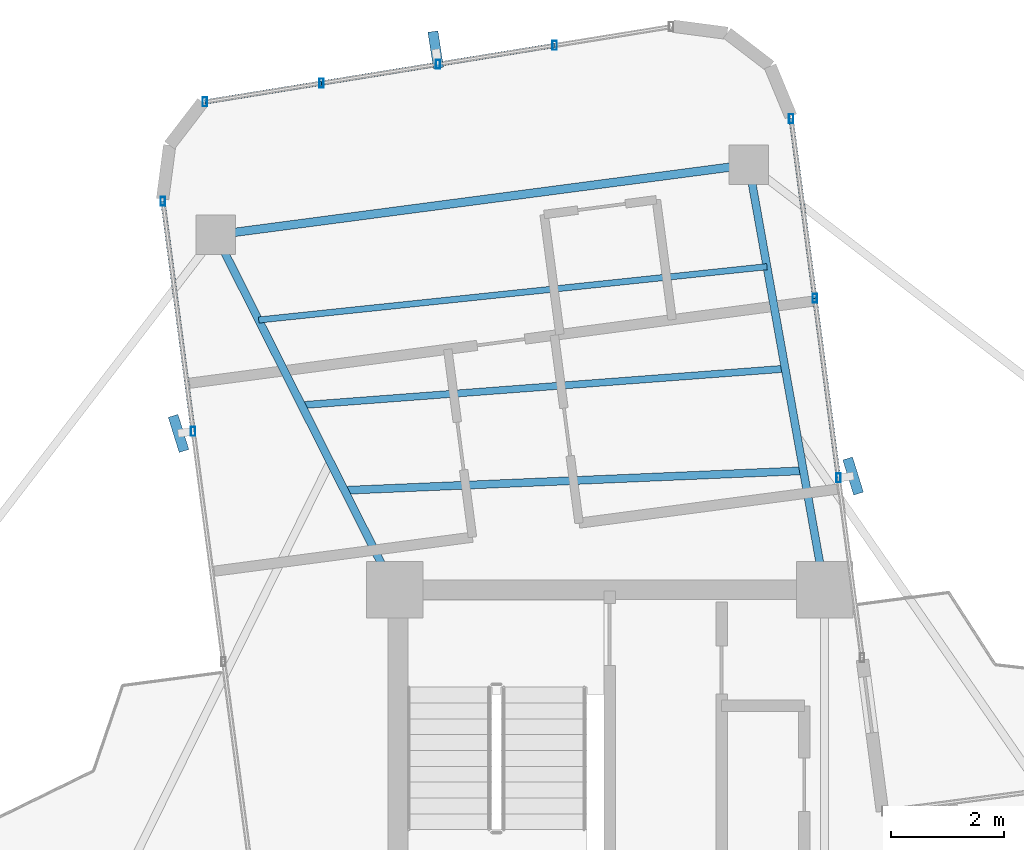
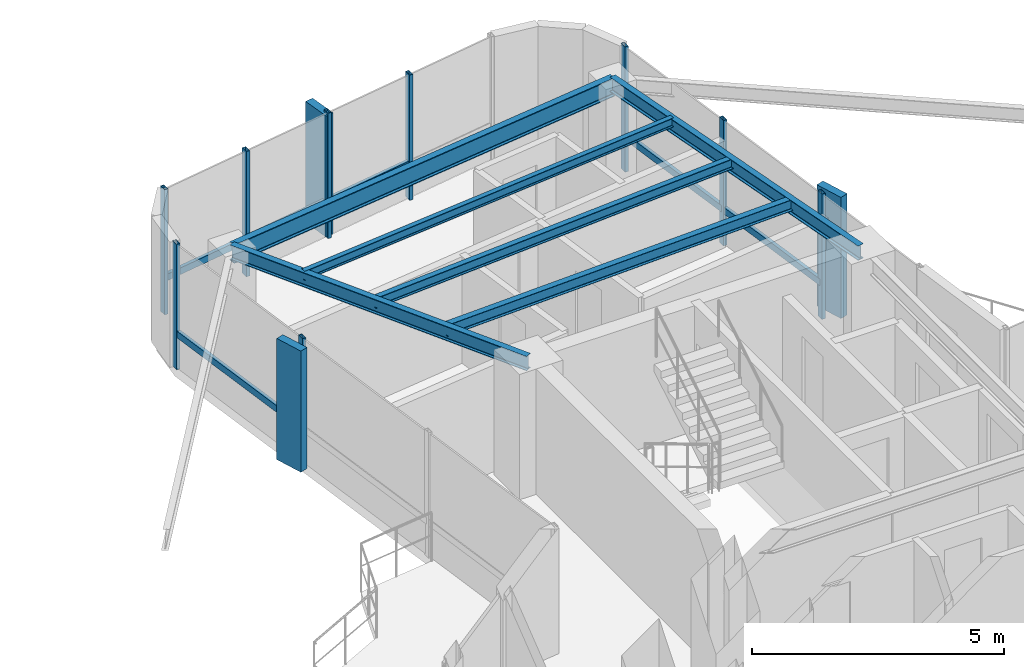
# One storey, part 14 of 22: 18 members, 6 beams, 3 elements without a shape of their own.
"""IFC4 building model written with IfcOpenShell, lengths in metres."""

from ifc_helpers import new_model, si_unit, direction, frame, origin, origin_2d, place, context, subcontext, project, spatial, rectangle, hollow_rectangle, i_section, extrude, source, transform, mapped, material, material_profile, profile_set, type_object, element, aggregate, save


model = new_model("IFC4")

# Units and contexts
model_context = context("Model", 3, precision=1e-05, world=origin(), true_north=direction((0.0, 1.0)))
body_context = subcontext(model_context, "Body", "Model", "MODEL_VIEW")
ifc_project = project(units=[si_unit("LENGTHUNIT", "METRE"), si_unit("AREAUNIT", "SQUARE_METRE"), si_unit("VOLUMEUNIT", "CUBIC_METRE"), si_unit("PLANEANGLEUNIT", "RADIAN"), si_unit("MASSUNIT", "GRAM", prefix="KILO")], contexts=[model_context])

# Site, building, storey
site_placement = place(None, origin())
site = spatial("IfcSite", under=ifc_project, at=site_placement, CompositionType="ELEMENT")
building_placement = place(site_placement, origin())
building = spatial("IfcBuilding", under=site, at=building_placement, Name="Sahyath Konkavel Grand Hotel", CompositionType="ELEMENT")
storey_placement = place(building_placement, frame((0.0, 0.0, 261.25)))
storey = spatial("IfcBuildingStorey", under=building, at=storey_placement, Name="L73", CompositionType="ELEMENT", Elevation=261.25)

# Beams
ifc_material_1 = material(Name="Steel E350", Category="steel")
ifc_material_profile_1 = material_profile(ifc_material_1, i_section(OverallWidth=0.139892578125, OverallDepth=0.35009765625, WebThickness=0.008056640625, FlangeThickness=0.01416015625, FilletRadius=0.013916015625, at=origin_2d()), Name="ISMB 350")
ifc_profile_set_1 = profile_set([ifc_material_profile_1], Name="Steel E350")
beam_type_1 = type_object("IfcBeamType", Name="BM-ISMB350", PredefinedType="BEAM", material=ifc_profile_set_1)
shared_shape_1 = source(origin(), body_context, "Body", "SweptSolid", [
    extrude(i_section(OverallWidth=0.139892578125, OverallDepth=0.35009765625, WebThickness=0.008056640625, FlangeThickness=0.01416015625, FilletRadius=0.013916015625, at=origin_2d()), origin(), (0.0, 0.0, 1.0), 7.631103515625),
])
beam_1_placement = place(storey_placement, frame((3.800048828125, 10.199951171875, 2.85498046875), z_axis=(-0.175734167088, 0.984437658015, 0.0), x_axis=(-0.984437658015, -0.175734167088, 0.0)))
element("IfcBeam", 1, at=beam_1_placement, inside=storey, type_object=beam_type_1, Name="L73 Cruciform Radial Girder NA", PredefinedType="BEAM", context=body_context, shape_type="MappedRepresentation", body=[
    mapped(shared_shape_1, transform((0.0, 0.0, 0.0), scale=1.0)),
])
shared_shape_2 = source(origin(), body_context, "Body", "SweptSolid", [
    extrude(i_section(OverallWidth=0.139892578125, OverallDepth=0.35009765625, WebThickness=0.008056640625, FlangeThickness=0.01416015625, FilletRadius=0.013916015625, at=origin_2d()), origin(), (0.0, 0.0, 1.0), 7.0234375),
])
beam_2_placement = place(storey_placement, frame((-3.800048828125, 10.199951171875, 2.85498046875), z_axis=(-0.449881274382, 0.893088371305, 0.0), x_axis=(-0.893088371305, -0.449881274382, 0.0)))
element("IfcBeam", 2, at=beam_2_placement, inside=storey, type_object=beam_type_1, Name="L73 Cruciform Radial Girder NB", PredefinedType="BEAM", context=body_context, shape_type="MappedRepresentation", body=[
    mapped(shared_shape_2, transform((0.0, 0.0, 0.0), scale=1.0)),
])
ifc_material_profile_2 = material_profile(ifc_material_1, i_section(OverallWidth=0.14990234375, OverallDepth=0.449951171875, WebThickness=0.009521484375, FlangeThickness=0.017333984375, FilletRadius=0.014892578125, at=origin_2d()), Name="ISMB 450")
ifc_profile_set_2 = profile_set([ifc_material_profile_2], Name="Steel E350")
beam_type_2 = type_object("IfcBeamType", Name="BM-ISMB450", PredefinedType="BEAM", material=ifc_profile_set_2)
shared_shape_3 = source(origin(), body_context, "Body", "SweptSolid", [
    extrude(i_section(OverallWidth=0.14990234375, OverallDepth=0.449951171875, WebThickness=0.009521484375, FlangeThickness=0.017333984375, FilletRadius=0.014892578125, at=origin_2d()), origin(), (0.0, 0.0, 1.0), 9.5),
])
beam_3_placement = place(storey_placement, frame((2.458984375, 17.71240234375, 2.804931640625), z_axis=(-0.991444933556, -0.130525643939, 0.0), x_axis=(0.130525643939, -0.991444933556, 0.0)))
element("IfcBeam", 3, at=beam_3_placement, inside=storey, type_object=beam_type_2, Name="L73 Wing Tip Edge Beam N", PredefinedType="BEAM", context=body_context, shape_type="MappedRepresentation", body=[
    mapped(shared_shape_3, transform((0.0, 0.0, 0.0), scale=1.0)),
])
ifc_material_profile_3 = material_profile(ifc_material_1, i_section(OverallWidth=0.139892578125, OverallDepth=0.27490234375, WebThickness=0.00634765625, FlangeThickness=0.0087890625, FilletRadius=0.012939453125, at=origin_2d()), Name="ISLB 275")
ifc_profile_set_3 = profile_set([ifc_material_profile_3], Name="Steel E350")
beam_type_3 = type_object("IfcBeamType", Name="BM-ISLB275", PredefinedType="BEAM", material=ifc_profile_set_3)
shared_shape_4 = source(origin(), body_context, "Body", "SweptSolid", [
    extrude(i_section(OverallWidth=0.139892578125, OverallDepth=0.27490234375, WebThickness=0.00634765625, FlangeThickness=0.0087890625, FilletRadius=0.012939453125, at=origin_2d()), origin(), (0.0, 0.0, 1.0), 8.11669921875),
])
beam_4_placement = place(storey_placement, frame((3.424560546875, 12.303466796875, 2.892578125), z_axis=(-0.999084879956, -0.042771516718, 0.0), x_axis=(0.042771516718, -0.999084879956, 0.0)))
element("IfcBeam", 4, at=beam_4_placement, inside=storey, type_object=beam_type_3, Name="L73 Secondary Floor Beam N-1", PredefinedType="BEAM", context=body_context, shape_type="MappedRepresentation", body=[
    mapped(shared_shape_4, transform((0.0, 0.0, 0.0), scale=1.0)),
])
ifc_material_profile_4 = material_profile(ifc_material_1, i_section(OverallWidth=0.125, OverallDepth=0.25, WebThickness=0.0068359375, FlangeThickness=0.012451171875, FilletRadius=0.012939453125, at=origin_2d()), Name="ISMB 250")
ifc_profile_set_4 = profile_set([ifc_material_profile_4], Name="Steel E350")
beam_type_4 = type_object("IfcBeamType", Name="BM-ISMB250", PredefinedType="BEAM", material=ifc_profile_set_4)
shared_shape_5 = source(origin(), body_context, "Body", "SweptSolid", [
    extrude(i_section(OverallWidth=0.125, OverallDepth=0.25, WebThickness=0.0068359375, FlangeThickness=0.012451171875, FilletRadius=0.012939453125, at=origin_2d()), origin(), (0.0, 0.0, 1.0), 8.570068359375),
])
beam_5_placement = place(storey_placement, frame((3.102783203125, 14.1064453125, 2.905029296875), z_axis=(-0.997165854664, -0.075234688098, 0.0), x_axis=(0.075234688098, -0.997165854664, 0.0)))
element("IfcBeam", 5, at=beam_5_placement, inside=storey, type_object=beam_type_4, Name="L73 Secondary Floor Beam N-2", PredefinedType="BEAM", context=body_context, shape_type="MappedRepresentation", body=[
    mapped(shared_shape_5, transform((0.0, 0.0, 0.0), scale=1.0)),
])
ifc_material_profile_5 = material_profile(ifc_material_1, i_section(OverallWidth=0.110107421875, OverallDepth=0.22509765625, WebThickness=0.006591796875, FlangeThickness=0.01171875, FilletRadius=0.011962890625, at=origin_2d()), Name="ISMB 225")
ifc_profile_set_5 = profile_set([ifc_material_profile_5], Name="Steel E350")
beam_type_5 = type_object("IfcBeamType", Name="BM-ISMB225", PredefinedType="BEAM", material=ifc_profile_set_5)
shared_shape_6 = source(origin(), body_context, "Body", "SweptSolid", [
    extrude(i_section(OverallWidth=0.110107421875, OverallDepth=0.22509765625, WebThickness=0.006591796875, FlangeThickness=0.01171875, FilletRadius=0.011962890625, at=origin_2d()), origin(), (0.0, 0.0, 1.0), 9.03173828125),
])
beam_6_placement = place(storey_placement, frame((2.781005859375, 15.909423828125, 2.91748046875), z_axis=(-0.99454153435, -0.104341441688, 0.0), x_axis=(0.104341441688, -0.99454153435, 0.0)))
element("IfcBeam", 6, at=beam_6_placement, inside=storey, type_object=beam_type_5, Name="L73 Secondary Floor Beam N-3", PredefinedType="BEAM", context=body_context, shape_type="MappedRepresentation", body=[
    mapped(shared_shape_6, transform((0.0, 0.0, 0.0), scale=1.0)),
])

# Curtain wall, members
ifc_material_2 = material(Name="Anodised Bronze Aluminium & Low-E Glazing", Category="aluminium")
curtain_wall_type = type_object("IfcCurtainWallType", Name="CW-ZONE4", PredefinedType="NOTDEFINED", material=ifc_material_2)
curtain_wall_1_placement = place(storey_placement, origin())
curtain_wall_1 = element("IfcCurtainWall", 7, at=curtain_wall_1_placement, inside=storey, type_object=curtain_wall_type, Name="L73 Unitised Curtain Wall F8", PredefinedType="NOTDEFINED")
ifc_material_3 = material(Name="Anodised Bronze Aluminium", Category="aluminium")
ifc_material_profile_6 = material_profile(ifc_material_3, hollow_rectangle(XDim=0.080078125, YDim=0.159912109375, WallThickness=0.006103515625, at=origin_2d()), Name="RHS 160x80x6")
ifc_profile_set_6 = profile_set([ifc_material_profile_6], Name="Anodised Bronze Aluminium")
member_type_1 = type_object("IfcMemberType", Name="CW-MUL-160", PredefinedType="MULLION", material=ifc_profile_set_6)
shared_shape_7 = source(origin(), body_context, "Body", "SweptSolid", [
    extrude(hollow_rectangle(XDim=0.080078125, YDim=0.159912109375, WallThickness=0.006103515625, at=origin_2d()), origin(), (0.0, 0.0, 1.0), 3.030029296875),
])
member_1_placement = place(storey_placement, frame((4.04541015625, 12.175537109375, 0.0), z_axis=(0.0, 0.0, 1.0), x_axis=(1.0, 0.0, 0.0)))
member_1 = element("IfcMember", 8, at=member_1_placement, type_object=member_type_1, Name="L73 Curtain Wall Mullion F8-1", PredefinedType="MULLION", context=body_context, shape_type="MappedRepresentation", body=[
    mapped(shared_shape_7, transform((0.0, 0.0, 0.0), scale=1.0)),
])
member_2_placement = place(storey_placement, frame((3.627197265625, 15.351318359375, 0.0), z_axis=(0.0, 0.0, 1.0), x_axis=(1.0, 0.0, 0.0)))
member_2 = element("IfcMember", 9, at=member_2_placement, type_object=member_type_1, Name="L73 Curtain Wall Mullion F8-2", PredefinedType="MULLION", context=body_context, shape_type="MappedRepresentation", body=[
    mapped(shared_shape_7, transform((0.0, 0.0, 0.0), scale=1.0)),
])
member_3_placement = place(storey_placement, frame((3.208984375, 18.52734375, 0.0), z_axis=(0.0, 0.0, 1.0), x_axis=(1.0, 0.0, 0.0)))
member_3 = element("IfcMember", 10, at=member_3_placement, type_object=member_type_1, Name="L73 Curtain Wall Mullion F8-3", PredefinedType="MULLION", context=body_context, shape_type="MappedRepresentation", body=[
    mapped(shared_shape_7, transform((0.0, 0.0, 0.0), scale=1.0)),
])

curtain_wall_2_placement = place(storey_placement, origin())
curtain_wall_2 = element("IfcCurtainWall", 11, at=curtain_wall_2_placement, inside=storey, type_object=curtain_wall_type, Name="L73 Unitised Curtain Wall F12", PredefinedType="NOTDEFINED")
member_4_placement = place(storey_placement, frame((-0.9716796875, 19.8203125, 0.0), z_axis=(0.0, 0.0, 1.0), x_axis=(1.0, 0.0, 0.0)))
member_4 = element("IfcMember", 12, at=member_4_placement, type_object=member_type_1, Name="L73 Curtain Wall Mullion F12-1", PredefinedType="MULLION", context=body_context, shape_type="MappedRepresentation", body=[
    mapped(shared_shape_7, transform((0.0, 0.0, 0.0), scale=1.0)),
])
member_5_placement = place(storey_placement, frame((-3.031982421875, 19.487060546875, 0.0), z_axis=(0.0, 0.0, 1.0), x_axis=(1.0, 0.0, 0.0)))
member_5 = element("IfcMember", 13, at=member_5_placement, type_object=member_type_1, Name="L73 Curtain Wall Mullion F12-2", PredefinedType="MULLION", context=body_context, shape_type="MappedRepresentation", body=[
    mapped(shared_shape_7, transform((0.0, 0.0, 0.0), scale=1.0)),
])
member_6_placement = place(storey_placement, frame((-5.09228515625, 19.15380859375, 0.0), z_axis=(0.0, 0.0, 1.0), x_axis=(1.0, 0.0, 0.0)))
member_6 = element("IfcMember", 14, at=member_6_placement, type_object=member_type_1, Name="L73 Curtain Wall Mullion F12-3", PredefinedType="MULLION", context=body_context, shape_type="MappedRepresentation", body=[
    mapped(shared_shape_7, transform((0.0, 0.0, 0.0), scale=1.0)),
])
member_7_placement = place(storey_placement, frame((-7.15283203125, 18.82080078125, 0.0), z_axis=(0.0, 0.0, 1.0), x_axis=(1.0, 0.0, 0.0)))
member_7 = element("IfcMember", 15, at=member_7_placement, type_object=member_type_1, Name="L73 Curtain Wall Mullion F12-4", PredefinedType="MULLION", context=body_context, shape_type="MappedRepresentation", body=[
    mapped(shared_shape_7, transform((0.0, 0.0, 0.0), scale=1.0)),
])

curtain_wall_3_placement = place(storey_placement, origin())
curtain_wall_3 = element("IfcCurtainWall", 16, at=curtain_wall_3_placement, inside=storey, type_object=curtain_wall_type, Name="L73 Unitised Curtain Wall F15", PredefinedType="NOTDEFINED")
member_8_placement = place(storey_placement, frame((-7.89501953125, 17.0654296875, 0.0), z_axis=(0.0, 0.0, 1.0), x_axis=(1.0, 0.0, 0.0)))
member_8 = element("IfcMember", 17, at=member_8_placement, type_object=member_type_1, Name="L73 Curtain Wall Mullion F15-0", PredefinedType="MULLION", context=body_context, shape_type="MappedRepresentation", body=[
    mapped(shared_shape_7, transform((0.0, 0.0, 0.0), scale=1.0)),
])
member_9_placement = place(storey_placement, frame((-7.359619140625, 12.997314453125, 0.0), z_axis=(0.0, 0.0, 1.0), x_axis=(1.0, 0.0, 0.0)))
member_9 = element("IfcMember", 18, at=member_9_placement, type_object=member_type_1, Name="L73 Curtain Wall Mullion F15-1", PredefinedType="MULLION", context=body_context, shape_type="MappedRepresentation", body=[
    mapped(shared_shape_7, transform((0.0, 0.0, 0.0), scale=1.0)),
])

# Member
ifc_material_4 = material(Name="Warm Buff Sandstone Cladding on Concrete C50/60", Category="masonry")
ifc_material_profile_7 = material_profile(ifc_material_4, rectangle(XDim=0.179931640625, YDim=0.64990234375, at=origin_2d()), Name="FIN 180x650")
ifc_profile_set_7 = profile_set([ifc_material_profile_7], Name="Warm Buff Sandstone Cladding on Concrete C50/60")
member_type_2 = type_object("IfcMemberType", Name="FIN-SANDSTONE-650", PredefinedType="MULLION", material=ifc_profile_set_7)
shared_shape_8 = source(origin(), body_context, "Body", "SweptSolid", [
    extrude(rectangle(XDim=0.179931640625, YDim=0.64990234375, at=origin_2d()), origin(), (0.0, 0.0, 1.0), 2.929931640625),
])
member_10_placement = place(storey_placement, frame((4.30322265625, 12.20947265625, 0.050048828125), z_axis=(0.0, 0.0, 1.0), x_axis=(0.954812686667, 0.297208232354, 0.0)))
member_10 = element("IfcMember", 19, at=member_10_placement, type_object=member_type_2, Name="L73 Sandstone Vertical Solar Fin FIN F8-1", PredefinedType="MULLION", context=body_context, shape_type="MappedRepresentation", body=[
    mapped(shared_shape_8, transform((0.0, 0.0, 0.0), scale=1.0)),
])

member_11_placement = place(storey_placement, frame((-3.073486328125, 19.74365234375, 0.050048828125), z_axis=(0.0, 0.0, 1.0), x_axis=(0.988572951285, 0.150743225348, 0.0)))
member_11 = element("IfcMember", 20, at=member_11_placement, type_object=member_type_2, Name="L73 Sandstone Vertical Solar Fin FIN F12-2", PredefinedType="MULLION", context=body_context, shape_type="MappedRepresentation", body=[
    mapped(shared_shape_8, transform((0.0, 0.0, 0.0), scale=1.0)),
])

member_12_placement = place(storey_placement, frame((-7.6171875, 12.96337890625, 0.050048828125), z_axis=(0.0, 0.0, 1.0), x_axis=(0.954812686667, 0.297208232354, 0.0)))
member_12 = element("IfcMember", 21, at=member_12_placement, type_object=member_type_2, Name="L73 Sandstone Vertical Solar Fin FIN F15-1", PredefinedType="MULLION", context=body_context, shape_type="MappedRepresentation", body=[
    mapped(shared_shape_8, transform((0.0, 0.0, 0.0), scale=1.0)),
])

ifc_material_profile_8 = material_profile(ifc_material_3, hollow_rectangle(XDim=0.080078125, YDim=0.159912109375, WallThickness=0.006103515625, at=origin_2d()), Name="RHS 160x80x6")
ifc_profile_set_8 = profile_set([ifc_material_profile_8], Name="Anodised Bronze Aluminium")
member_type_3 = type_object("IfcMemberType", Name="CW-TRN-160", PredefinedType="USERDEFINED", material=ifc_profile_set_8)
shared_shape_9 = source(origin(), body_context, "Body", "SweptSolid", [
    extrude(hollow_rectangle(XDim=0.080078125, YDim=0.159912109375, WallThickness=0.006103515625, at=origin_2d()), origin(), (0.0, 0.0, 1.0), 3.203369140625),
])
member_13_placement = place(storey_placement, frame((3.627197265625, 15.351318359375, 0.85009765625), z_axis=(-0.130551112835, 0.991441580194, 0.0), x_axis=(-0.991441580194, -0.130551112835, 0.0)))
member_13 = element("IfcMember", 22, at=member_13_placement, type_object=member_type_3, Name="L73 Curtain Wall Transom F8-2-spandrel", ObjectType="TRANSOM", PredefinedType="USERDEFINED", context=body_context, shape_type="MappedRepresentation", body=[
    mapped(shared_shape_9, transform((0.0, 0.0, 0.0), scale=1.0)),
])

shared_shape_10 = source(origin(), body_context, "Body", "SweptSolid", [
    extrude(hollow_rectangle(XDim=0.080078125, YDim=0.159912109375, WallThickness=0.006103515625, at=origin_2d()), origin(), (0.0, 0.0, 1.0), 3.203125),
])
member_14_placement = place(storey_placement, frame((4.04541015625, 12.175537109375, 0.85009765625), z_axis=(-0.13056097798, 0.991440281121, 0.0), x_axis=(-0.991440281121, -0.13056097798, 0.0)))
member_14 = element("IfcMember", 23, at=member_14_placement, type_object=member_type_3, Name="L73 Curtain Wall Transom F8-1-spandrel", ObjectType="TRANSOM", PredefinedType="USERDEFINED", context=body_context, shape_type="MappedRepresentation", body=[
    mapped(shared_shape_10, transform((0.0, 0.0, 0.0), scale=1.0)),
])

aggregate(curtain_wall_1, [member_1, member_10, member_2, member_3, member_14, member_13])

shared_shape_11 = source(origin(), body_context, "Body", "SweptSolid", [
    extrude(hollow_rectangle(XDim=0.080078125, YDim=0.159912109375, WallThickness=0.006103515625, at=origin_2d()), origin(), (0.0, 0.0, 1.0), 2.08740234375),
])
member_15_placement = place(storey_placement, frame((-5.09228515625, 19.15380859375, 0.85009765625), z_axis=(-0.98719124923, -0.159541334591, 0.0), x_axis=(0.159541334591, -0.98719124923, 0.0)))
member_15 = element("IfcMember", 24, at=member_15_placement, type_object=member_type_3, Name="L73 Curtain Wall Transom F12-3-spandrel", ObjectType="TRANSOM", PredefinedType="USERDEFINED", context=body_context, shape_type="MappedRepresentation", body=[
    mapped(shared_shape_11, transform((0.0, 0.0, 0.0), scale=1.0)),
])

shared_shape_12 = source(origin(), body_context, "Body", "SweptSolid", [
    extrude(hollow_rectangle(XDim=0.080078125, YDim=0.159912109375, WallThickness=0.006103515625, at=origin_2d()), origin(), (0.0, 0.0, 1.0), 2.087158203125),
])
member_16_placement = place(storey_placement, frame((-0.9716796875, 19.8203125, 0.85009765625), z_axis=(-0.98716983924, -0.159673756436, 0.0), x_axis=(0.159673756436, -0.98716983924, 0.0)))
member_16 = element("IfcMember", 25, at=member_16_placement, type_object=member_type_3, Name="L73 Curtain Wall Transom F12-1-spandrel", ObjectType="TRANSOM", PredefinedType="USERDEFINED", context=body_context, shape_type="MappedRepresentation", body=[
    mapped(shared_shape_12, transform((0.0, 0.0, 0.0), scale=1.0)),
])

member_17_placement = place(storey_placement, frame((-3.031982421875, 19.487060546875, 0.85009765625), z_axis=(-0.98716983924, -0.159673756436, 0.0), x_axis=(0.159673756436, -0.98716983924, 0.0)))
member_17 = element("IfcMember", 26, at=member_17_placement, type_object=member_type_3, Name="L73 Curtain Wall Transom F12-2-spandrel", ObjectType="TRANSOM", PredefinedType="USERDEFINED", context=body_context, shape_type="MappedRepresentation", body=[
    mapped(shared_shape_12, transform((0.0, 0.0, 0.0), scale=1.0)),
])

aggregate(curtain_wall_2, [member_4, member_5, member_11, member_6, member_7, member_16, member_17, member_15])

shared_shape_13 = source(origin(), body_context, "Body", "SweptSolid", [
    extrude(hollow_rectangle(XDim=0.080078125, YDim=0.159912109375, WallThickness=0.006103515625, at=origin_2d()), origin(), (0.0, 0.0, 1.0), 4.103271484375),
])
member_18_placement = place(storey_placement, frame((-7.89501953125, 17.0654296875, 0.85009765625), z_axis=(0.130483756275, -0.991450447248, 0.0), x_axis=(0.991450447248, 0.130483756275, 0.0)))
member_18 = element("IfcMember", 27, at=member_18_placement, type_object=member_type_3, Name="L73 Curtain Wall Transom F15-0-spandrel", ObjectType="TRANSOM", PredefinedType="USERDEFINED", context=body_context, shape_type="MappedRepresentation", body=[
    mapped(shared_shape_13, transform((0.0, 0.0, 0.0), scale=1.0)),
])

aggregate(curtain_wall_3, [member_8, member_9, member_12, member_18])

save(model, "model.ifc")
